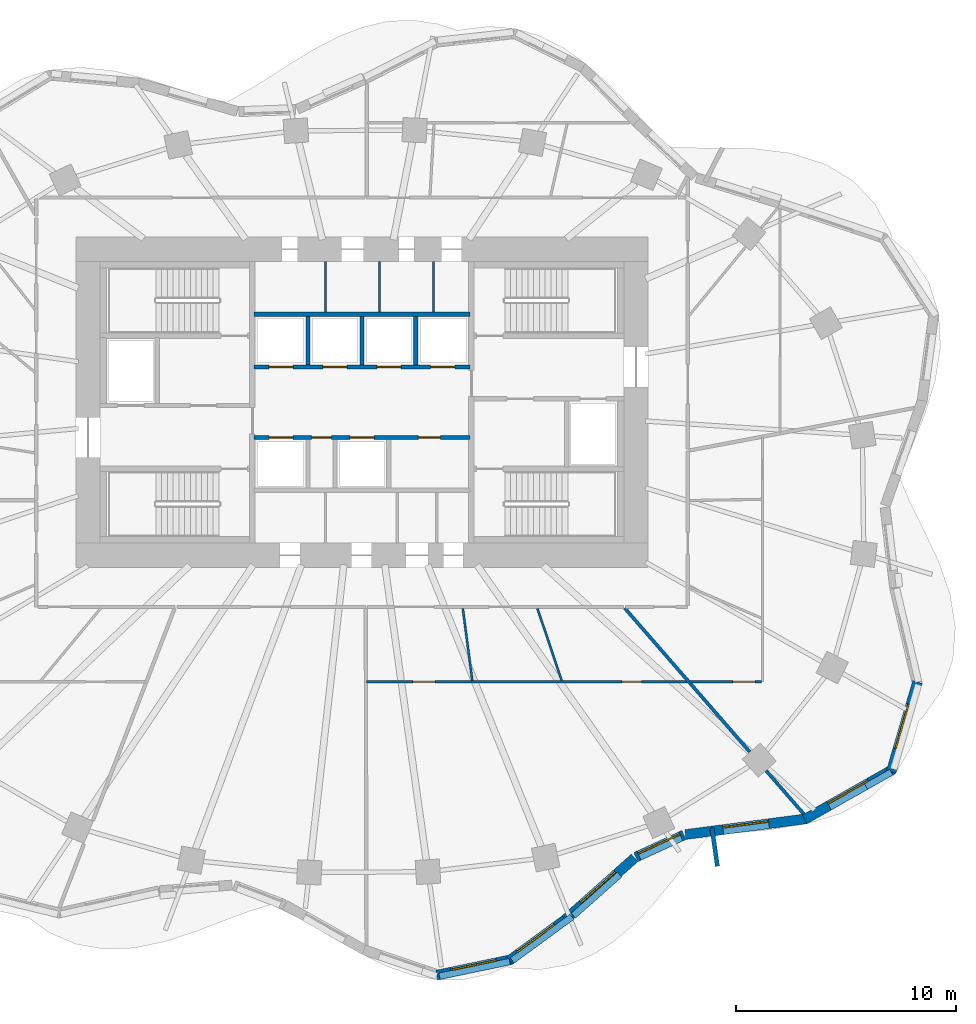
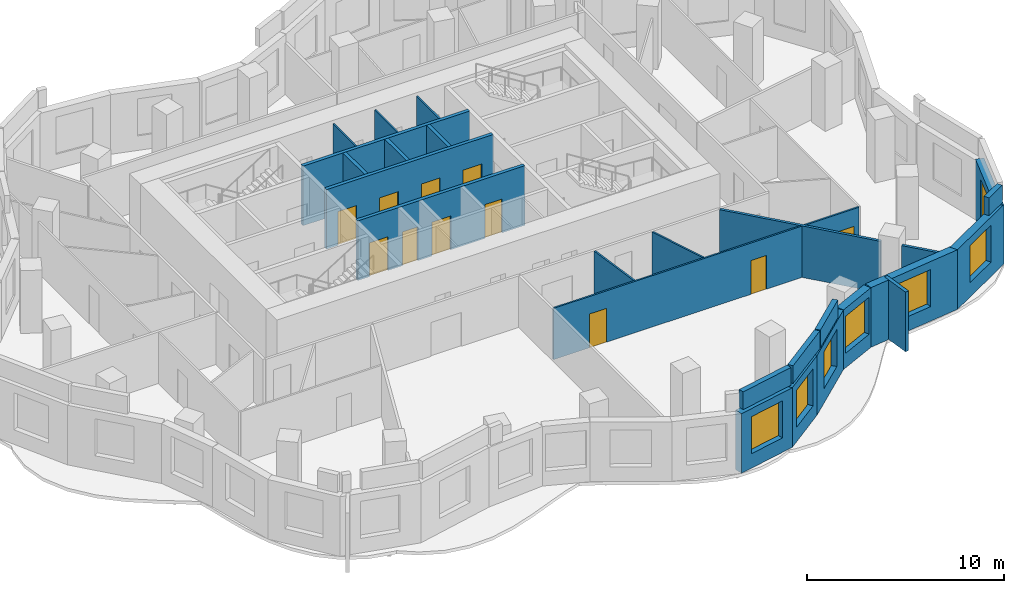
# One storey, part 5 of 10: 27 walls, 11 doors, 7 windows, 18 openings.
"""IFC4 building model written with IfcOpenShell, lengths in metres."""

from ifc_helpers import new_model, si_unit, direction, frame, frame_2d, origin, place, context, subcontext, project, spatial, rectangle, extrude, material, layer, layer_set, type_object, element, fill, save


model = new_model("IFC4")

# Units and contexts
model_context = context("Model", 3, precision=1e-05, world=origin(), true_north=direction((0.0, 1.0)))
body_context = subcontext(model_context, "Body", "Model", "MODEL_VIEW")
ifc_project = project(units=[si_unit("LENGTHUNIT", "METRE"), si_unit("AREAUNIT", "SQUARE_METRE"), si_unit("VOLUMEUNIT", "CUBIC_METRE"), si_unit("PLANEANGLEUNIT", "RADIAN"), si_unit("MASSUNIT", "GRAM", prefix="KILO")], contexts=[model_context])

# Site, building, storey
site_placement = place(None, origin())
site = spatial("IfcSite", under=ifc_project, at=site_placement, CompositionType="ELEMENT")
building_placement = place(site_placement, origin())
building = spatial("IfcBuilding", under=site, at=building_placement, Name="Rubra Terraces Tower", CompositionType="ELEMENT")
storey_placement = place(building_placement, frame((0.0, 0.0, 153.89990234375)))
storey = spatial("IfcBuildingStorey", under=building, at=storey_placement, Name="L37", CompositionType="ELEMENT", Elevation=153.89990234375)

# Wall, opening, window
ifc_material_1 = material(Name="Brick masonry red-brown", Category="masonry")
ifc_layer_1 = layer(ifc_material_1, 0.449951171875)
ifc_layer_set_1 = layer_set([ifc_layer_1], Name="Brick masonry red-brown")
wall_type_1 = type_object("IfcWallType", Name="Brick facade wall 450", PredefinedType="SOLIDWALL", material=ifc_layer_set_1)
wall_1_placement = place(storey_placement, frame((3.39892578125, -21.53173828125, 0.0), z_axis=(0.0, 0.0, 1.0), x_axis=(0.978915912181, 0.204263645512, 0.0)))
wall_1 = element("IfcWall", 1, at=wall_1_placement, inside=storey, type_object=wall_type_1, Name="Facade wall L37 bay 32", PredefinedType="SOLIDWALL", context=body_context, shape_type="SweptSolid", body=[
    extrude(rectangle(XDim=3.466064453125, YDim=0.449951171875, at=frame_2d((1.73291015625, 0.0))), origin(), (0.0, 0.0, 1.0), 3.7001953125),
])
opening_1_placement = place(wall_1_placement, frame((0.68310546875, 0.0, 0.89990234375)))
opening_1 = element("IfcOpeningElement", 2, at=opening_1_placement, cuts=wall_1, Name="Opening W1B", PredefinedType="OPENING", context=body_context, shape_type="SweptSolid", body=[
    extrude(rectangle(XDim=2.10009765625, YDim=2.300048828125, at=frame_2d((1.050048828125, 1.14990234375))), frame((0.0, 0.23486328125, 0.0), z_axis=(0.0, -1.0, 0.0), x_axis=(1.0, 0.0, 0.0)), (0.0, 0.0, 1.0), 0.469970703125),
])
ifc_material_2 = material(Name="Clear glass in aluminium frame", Category="aluminium")
window_type = type_object("IfcWindowType", Name="Fixed deep-set window tall storey 2100 x 2300", PartitioningType="SINGLE_PANEL", PredefinedType="WINDOW", material=ifc_material_2)
window_1_placement = place(opening_1_placement, origin())
window_1 = element("IfcWindow", 3, at=window_1_placement, inside=storey, type_object=window_type, Name="Window L37 bay 32", OverallHeight=2.300048828125, OverallWidth=2.10009765625, PartitioningType="SINGLE_PANEL", PredefinedType="WINDOW", context=body_context, shape_type="SweptSolid", body=[
    extrude(rectangle(XDim=2.10009765625, YDim=2.300048828125, at=frame_2d((1.050048828125, 1.14990234375))), frame((0.0, 0.135009765625, 0.0), z_axis=(0.0, -1.0, 0.0), x_axis=(1.0, 0.0, 0.0)), (0.0, 0.0, 1.0), 0.06005859375),
])
fill(opening_1, window_1)

wall_2_placement = place(storey_placement, frame((6.705078125, -20.8623046875, 0.0), z_axis=(0.0, 0.0, 1.0), x_axis=(0.806921336267, 0.590658917716, 0.0)))
wall_2 = element("IfcWall", 4, at=wall_2_placement, inside=storey, type_object=wall_type_1, Name="Facade wall L37 bay 33", PredefinedType="SOLIDWALL", context=body_context, shape_type="SweptSolid", body=[
    extrude(rectangle(XDim=3.124755859375, YDim=0.449951171875, at=frame_2d((1.5625, 0.0))), origin(), (0.0, 0.0, 1.0), 3.7001953125),
])
opening_2_placement = place(wall_2_placement, frame((0.512451171875, 0.0, 0.89990234375)))
opening_2 = element("IfcOpeningElement", 5, at=opening_2_placement, cuts=wall_2, Name="Opening W1B", PredefinedType="OPENING", context=body_context, shape_type="SweptSolid", body=[
    extrude(rectangle(XDim=2.10009765625, YDim=2.300048828125, at=frame_2d((1.050048828125, 1.14990234375))), frame((0.0, 0.23486328125, 0.0), z_axis=(0.0, -1.0, 0.0), x_axis=(1.0, 0.0, 0.0)), (0.0, 0.0, 1.0), 0.469970703125),
])
window_2_placement = place(opening_2_placement, origin())
window_2 = element("IfcWindow", 6, at=window_2_placement, inside=storey, type_object=window_type, Name="Window L37 bay 33", OverallHeight=2.300048828125, OverallWidth=2.10009765625, PartitioningType="SINGLE_PANEL", PredefinedType="WINDOW", context=body_context, shape_type="SweptSolid", body=[
    extrude(rectangle(XDim=2.10009765625, YDim=2.300048828125, at=frame_2d((1.050048828125, 1.14990234375))), frame((0.0, 0.135009765625, 0.0), z_axis=(0.0, -1.0, 0.0), x_axis=(1.0, 0.0, 0.0)), (0.0, 0.0, 1.0), 0.06005859375),
])
fill(opening_2, window_2)

wall_3_placement = place(storey_placement, frame((9.2099609375, -19.030029296875, 0.0), z_axis=(0.0, 0.0, 1.0), x_axis=(0.747396648191, 0.664378092861, 0.0)))
wall_3 = element("IfcWall", 7, at=wall_3_placement, inside=storey, type_object=wall_type_1, Name="Facade wall L37 bay 34", PredefinedType="SOLIDWALL", context=body_context, shape_type="SweptSolid", body=[
    extrude(rectangle(XDim=4.25244140625, YDim=0.449951171875, at=frame_2d((2.126220703125, 0.0))), origin(), (0.0, 0.0, 1.0), 3.7001953125),
])
opening_3_placement = place(wall_3_placement, frame((1.076171875, 0.0, 0.89990234375)))
opening_3 = element("IfcOpeningElement", 8, at=opening_3_placement, cuts=wall_3, Name="Opening W1B", PredefinedType="OPENING", context=body_context, shape_type="SweptSolid", body=[
    extrude(rectangle(XDim=2.10009765625, YDim=2.300048828125, at=frame_2d((1.050048828125, 1.14990234375))), frame((0.0, 0.23486328125, 0.0), z_axis=(0.0, -1.0, 0.0), x_axis=(1.0, 0.0, 0.0)), (0.0, 0.0, 1.0), 0.469970703125),
])
window_3_placement = place(opening_3_placement, origin())
window_3 = element("IfcWindow", 9, at=window_3_placement, inside=storey, type_object=window_type, Name="Window L37 bay 34", OverallHeight=2.300048828125, OverallWidth=2.10009765625, PartitioningType="SINGLE_PANEL", PredefinedType="WINDOW", context=body_context, shape_type="SweptSolid", body=[
    extrude(rectangle(XDim=2.10009765625, YDim=2.300048828125, at=frame_2d((1.050048828125, 1.14990234375))), frame((0.0, 0.135009765625, 0.0), z_axis=(0.0, -1.0, 0.0), x_axis=(1.0, 0.0, 0.0)), (0.0, 0.0, 1.0), 0.06005859375),
])
fill(opening_3, window_3)

wall_4_placement = place(storey_placement, frame((12.443603515625, -16.168701171875, 0.0), z_axis=(0.0, 0.0, 1.0), x_axis=(0.908468904074, 0.417952449844, 0.0)))
wall_4 = element("IfcWall", 10, at=wall_4_placement, inside=storey, type_object=wall_type_1, Name="Facade wall L37 bay 35", PredefinedType="SOLIDWALL", context=body_context, shape_type="SweptSolid", body=[
    extrude(rectangle(XDim=2.408935546875, YDim=0.449951171875, at=frame_2d((1.20458984375, 0.0))), origin(), (0.0, 0.0, 1.0), 3.7001953125),
])
opening_4_placement = place(wall_4_placement, frame((0.154541015625, 0.0, 0.89990234375)))
opening_4 = element("IfcOpeningElement", 11, at=opening_4_placement, cuts=wall_4, Name="Opening W1B", PredefinedType="OPENING", context=body_context, shape_type="SweptSolid", body=[
    extrude(rectangle(XDim=2.10009765625, YDim=2.300048828125, at=frame_2d((1.050048828125, 1.14990234375))), frame((0.0, 0.23486328125, 0.0), z_axis=(0.0, -1.0, 0.0), x_axis=(1.0, 0.0, 0.0)), (0.0, 0.0, 1.0), 0.469970703125),
])
window_4_placement = place(opening_4_placement, origin())
window_4 = element("IfcWindow", 12, at=window_4_placement, inside=storey, type_object=window_type, Name="Window L37 bay 35", OverallHeight=2.300048828125, OverallWidth=2.10009765625, PartitioningType="SINGLE_PANEL", PredefinedType="WINDOW", context=body_context, shape_type="SweptSolid", body=[
    extrude(rectangle(XDim=2.10009765625, YDim=2.300048828125, at=frame_2d((1.050048828125, 1.14990234375))), frame((0.0, 0.135009765625, 0.0), z_axis=(0.0, -1.0, 0.0), x_axis=(1.0, 0.0, 0.0)), (0.0, 0.0, 1.0), 0.06005859375),
])
fill(opening_4, window_4)

wall_5_placement = place(storey_placement, frame((14.697265625, -15.143310546875, 0.0), z_axis=(0.0, 0.0, 1.0), x_axis=(0.991631798411, 0.129098320597, 0.0)))
wall_5 = element("IfcWall", 13, at=wall_5_placement, inside=storey, type_object=wall_type_1, Name="Facade wall L37 bay 36", PredefinedType="SOLIDWALL", context=body_context, shape_type="SweptSolid", body=[
    extrude(rectangle(XDim=5.546630859375, YDim=0.449951171875, at=frame_2d((2.7734375, 0.0))), origin(), (0.0, 0.0, 1.0), 3.7001953125),
])
opening_5_placement = place(wall_5_placement, frame((1.723388671875, 0.0, 0.89990234375)))
opening_5 = element("IfcOpeningElement", 14, at=opening_5_placement, cuts=wall_5, Name="Opening W1B", PredefinedType="OPENING", context=body_context, shape_type="SweptSolid", body=[
    extrude(rectangle(XDim=2.10009765625, YDim=2.300048828125, at=frame_2d((1.050048828125, 1.14990234375))), frame((0.0, 0.23486328125, 0.0), z_axis=(0.0, -1.0, 0.0), x_axis=(1.0, 0.0, 0.0)), (0.0, 0.0, 1.0), 0.469970703125),
])
window_5_placement = place(opening_5_placement, origin())
window_5 = element("IfcWindow", 15, at=window_5_placement, inside=storey, type_object=window_type, Name="Window L37 bay 36", OverallHeight=2.300048828125, OverallWidth=2.10009765625, PartitioningType="SINGLE_PANEL", PredefinedType="WINDOW", context=body_context, shape_type="SweptSolid", body=[
    extrude(rectangle(XDim=2.10009765625, YDim=2.300048828125, at=frame_2d((1.050048828125, 1.14990234375))), frame((0.0, 0.135009765625, 0.0), z_axis=(0.0, -1.0, 0.0), x_axis=(1.0, 0.0, 0.0)), (0.0, 0.0, 1.0), 0.06005859375),
])
fill(opening_5, window_5)

wall_6_placement = place(storey_placement, frame((20.115478515625, -14.45458984375, 0.0), z_axis=(0.0, 0.0, 1.0), x_axis=(0.869822679286, 0.493364476427, 0.0)))
wall_6 = element("IfcWall", 16, at=wall_6_placement, inside=storey, type_object=wall_type_1, Name="Facade wall L37 bay 37", PredefinedType="SOLIDWALL", context=body_context, shape_type="SweptSolid", body=[
    extrude(rectangle(XDim=4.63818359375, YDim=0.449951171875, at=frame_2d((2.319091796875, 0.0))), origin(), (0.0, 0.0, 1.0), 3.7001953125),
])
opening_6_placement = place(wall_6_placement, frame((1.26904296875, 0.0, 0.89990234375)))
opening_6 = element("IfcOpeningElement", 17, at=opening_6_placement, cuts=wall_6, Name="Opening W1B", PredefinedType="OPENING", context=body_context, shape_type="SweptSolid", body=[
    extrude(rectangle(XDim=2.10009765625, YDim=2.300048828125, at=frame_2d((1.050048828125, 1.14990234375))), frame((0.0, 0.23486328125, 0.0), z_axis=(0.0, -1.0, 0.0), x_axis=(1.0, 0.0, 0.0)), (0.0, 0.0, 1.0), 0.469970703125),
])
window_6_placement = place(opening_6_placement, origin())
window_6 = element("IfcWindow", 18, at=window_6_placement, inside=storey, type_object=window_type, Name="Window L37 bay 37", OverallHeight=2.300048828125, OverallWidth=2.10009765625, PartitioningType="SINGLE_PANEL", PredefinedType="WINDOW", context=body_context, shape_type="SweptSolid", body=[
    extrude(rectangle(XDim=2.10009765625, YDim=2.300048828125, at=frame_2d((1.050048828125, 1.14990234375))), frame((0.0, 0.135009765625, 0.0), z_axis=(0.0, -1.0, 0.0), x_axis=(1.0, 0.0, 0.0)), (0.0, 0.0, 1.0), 0.06005859375),
])
fill(opening_6, window_6)

wall_7_placement = place(storey_placement, frame((24.045166015625, -12.298583984375, 0.0), z_axis=(0.0, 0.0, 1.0), x_axis=(0.281381418228, 0.95959600743, 0.0)))
wall_7 = element("IfcWall", 19, at=wall_7_placement, inside=storey, type_object=wall_type_1, Name="Facade wall L37 bay 38", PredefinedType="SOLIDWALL", context=body_context, shape_type="SweptSolid", body=[
    extrude(rectangle(XDim=4.260986328125, YDim=0.449951171875, at=frame_2d((2.13037109375, 0.0))), origin(), (0.0, 0.0, 1.0), 3.7001953125),
])
opening_7_placement = place(wall_7_placement, frame((1.08056640625, 0.0, 0.89990234375)))
opening_7 = element("IfcOpeningElement", 20, at=opening_7_placement, cuts=wall_7, Name="Opening W1B", PredefinedType="OPENING", context=body_context, shape_type="SweptSolid", body=[
    extrude(rectangle(XDim=2.10009765625, YDim=2.300048828125, at=frame_2d((1.050048828125, 1.14990234375))), frame((0.0, 0.23486328125, 0.0), z_axis=(0.0, -1.0, 0.0), x_axis=(1.0, 0.0, 0.0)), (0.0, 0.0, 1.0), 0.469970703125),
])
window_7_placement = place(opening_7_placement, origin())
window_7 = element("IfcWindow", 21, at=window_7_placement, inside=storey, type_object=window_type, Name="Window L37 bay 38", OverallHeight=2.300048828125, OverallWidth=2.10009765625, PartitioningType="SINGLE_PANEL", PredefinedType="WINDOW", context=body_context, shape_type="SweptSolid", body=[
    extrude(rectangle(XDim=2.10009765625, YDim=2.300048828125, at=frame_2d((1.050048828125, 1.14990234375))), frame((0.0, 0.135009765625, 0.0), z_axis=(0.0, -1.0, 0.0), x_axis=(1.0, 0.0, 0.0)), (0.0, 0.0, 1.0), 0.06005859375),
])
fill(opening_7, window_7)

# Walls
ifc_layer_2 = layer(ifc_material_1, 0.300048828125)
ifc_layer_set_2 = layer_set([ifc_layer_2], Name="Brick masonry red-brown")
wall_type_2 = type_object("IfcWallType", Name="Brick parapet 300", PredefinedType="PARAPET", material=ifc_layer_set_2)
wall_8_placement = place(storey_placement, frame((3.523681640625, -21.582275390625, 3.900146484375), z_axis=(0.0, 0.0, 1.0), x_axis=(0.97891618591, 0.204262333689, 0.0)))
element("IfcWall", 22, at=wall_8_placement, inside=storey, type_object=wall_type_2, Name="Parapet L37 bay 32", PredefinedType="PARAPET", context=body_context, shape_type="SweptSolid", body=[
    extrude(rectangle(XDim=3.25927734375, YDim=0.300048828125, at=frame_2d((1.629638671875, 0.0))), origin(), (0.0, 0.0, 1.0), 1.099853515625),
])
wall_9_placement = place(storey_placement, frame((6.825927734375, -20.866943359375, 3.900146484375), z_axis=(0.0, 0.0, 1.0), x_axis=(0.806907255022, 0.590678154152, 0.0)))
element("IfcWall", 23, at=wall_9_placement, inside=storey, type_object=wall_type_2, Name="Parapet L37 bay 33", PredefinedType="PARAPET", context=body_context, shape_type="SweptSolid", body=[
    extrude(rectangle(XDim=3.366943359375, YDim=0.300048828125, at=frame_2d((1.68359375, 0.0))), origin(), (0.0, 0.0, 1.0), 1.099853515625),
])
wall_10_placement = place(storey_placement, frame((9.600341796875, -18.83154296875, 3.900146484375), z_axis=(0.0, 0.0, 1.0), x_axis=(0.747433246304, 0.664336919281, 0.0)))
element("IfcWall", 24, at=wall_10_placement, inside=storey, type_object=wall_type_2, Name="Parapet L37 bay 34", PredefinedType="PARAPET", context=body_context, shape_type="SweptSolid", body=[
    extrude(rectangle(XDim=2.814697265625, YDim=0.300048828125, at=frame_2d((1.4072265625, 0.0))), origin(), (0.0, 0.0, 1.0), 1.099853515625),
])
wall_11_placement = place(storey_placement, frame((22.90283203125, -12.9599609375, 3.900146484375), z_axis=(0.0, 0.0, 1.0), x_axis=(0.869837682326, 0.493338024489, 0.0)))
element("IfcWall", 25, at=wall_11_placement, inside=storey, type_object=wall_type_2, Name="Parapet L37 bay 37", PredefinedType="PARAPET", context=body_context, shape_type="SweptSolid", body=[
    extrude(rectangle(XDim=1.32470703125, YDim=0.300048828125, at=frame_2d((0.662353515625, 0.0))), origin(), (0.0, 0.0, 1.0), 1.099853515625),
])
ifc_layer_3 = layer(ifc_material_1, 0.199951171875)
ifc_layer_set_3 = layer_set([ifc_layer_3], Name="Brick masonry red-brown")
wall_type_3 = type_object("IfcWallType", Name="Brick wind fin 200", PredefinedType="SOLIDWALL", material=ifc_layer_set_3)
wall_12_placement = place(storey_placement, frame((15.905029296875, -14.85009765625, 0.0), z_axis=(0.0, 0.0, 1.0), x_axis=(0.140913490987, -0.990021912918, 0.0)))
element("IfcWall", 26, at=wall_12_placement, inside=storey, type_object=wall_type_3, Name="Wind fin L37 18", PredefinedType="SOLIDWALL", context=body_context, shape_type="SweptSolid", body=[
    extrude(rectangle(XDim=1.75, YDim=0.199951171875, at=frame_2d((0.875, 0.0))), origin(), (0.0, 0.0, 1.0), 3.7001953125),
])

# Wall, openings, doors
ifc_material_3 = material(Name="Concrete C30", Category="concrete")
ifc_layer_4 = layer(ifc_material_3, 0.199951171875)
ifc_layer_set_4 = layer_set([ifc_layer_4], Name="Concrete C30")
wall_type_4 = type_object("IfcWallType", Name="Core wall 200 concrete", PredefinedType="SOLIDWALL", material=ifc_layer_set_4)
wall_13_placement = place(storey_placement, frame((-4.89990234375, 2.89990234375, 0.0), z_axis=(0.0, 0.0, 1.0), x_axis=(1.0, 0.0, 0.0)))
wall_13 = element("IfcWall", 27, at=wall_13_placement, inside=storey, type_object=wall_type_4, Name="LIFT SHAFT WALL L37", PredefinedType="SOLIDWALL", context=body_context, shape_type="SweptSolid", body=[
    extrude(rectangle(XDim=9.7998046875, YDim=0.199951171875, at=frame_2d((4.89990234375, 0.0))), origin(), (0.0, 0.0, 1.0), 3.7001953125),
])
opening_8_placement = place(wall_13_placement, frame((0.675048828125, 0.0, 0.0)))
opening_8 = element("IfcOpeningElement", 28, at=opening_8_placement, cuts=wall_13, Name="Opening L37.C13", PredefinedType="OPENING", context=body_context, shape_type="SweptSolid", body=[
    extrude(rectangle(XDim=1.10009765625, YDim=2.10009765625, at=frame_2d((0.550048828125, 1.050048828125))), frame((0.0, 0.10986328125, 0.0), z_axis=(0.0, -1.0, 0.0), x_axis=(1.0, 0.0, 0.0)), (0.0, 0.0, 1.0), 0.219970703125),
])
opening_9_placement = place(wall_13_placement, frame((2.613037109375, 0.0, 0.0)))
opening_9 = element("IfcOpeningElement", 29, at=opening_9_placement, cuts=wall_13, Name="Opening L37.C14", PredefinedType="OPENING", context=body_context, shape_type="SweptSolid", body=[
    extrude(rectangle(XDim=0.89990234375, YDim=2.10009765625, at=frame_2d((0.449951171875, 1.050048828125))), frame((0.0, 0.10986328125, 0.0), z_axis=(0.0, -1.0, 0.0), x_axis=(1.0, 0.0, 0.0)), (0.0, 0.0, 1.0), 0.219970703125),
])
opening_10_placement = place(wall_13_placement, frame((4.35009765625, 0.0, 0.0)))
opening_10 = element("IfcOpeningElement", 30, at=opening_10_placement, cuts=wall_13, Name="Opening L37.C15", PredefinedType="OPENING", context=body_context, shape_type="SweptSolid", body=[
    extrude(rectangle(XDim=1.10009765625, YDim=2.10009765625, at=frame_2d((0.550048828125, 1.050048828125))), frame((0.0, 0.10986328125, 0.0), z_axis=(0.0, -1.0, 0.0), x_axis=(1.0, 0.0, 0.0)), (0.0, 0.0, 1.0), 0.219970703125),
])
opening_11_placement = place(wall_13_placement, frame((7.462890625, 0.0, 0.0)))
opening_11 = element("IfcOpeningElement", 31, at=opening_11_placement, cuts=wall_13, Name="Opening L37.C16", PredefinedType="OPENING", context=body_context, shape_type="SweptSolid", body=[
    extrude(rectangle(XDim=1.0, YDim=2.10009765625, at=frame_2d((0.5, 1.050048828125))), frame((0.0, 0.10986328125, 0.0), z_axis=(0.0, -1.0, 0.0), x_axis=(1.0, 0.0, 0.0)), (0.0, 0.0, 1.0), 0.219970703125),
])
ifc_material_4 = material(Name="Painted steel", Category="steel")
door_type_1 = type_object("IfcDoorType", Name="Fire door 1000x2100 single", OperationType="NOTDEFINED", PredefinedType="DOOR", material=ifc_material_4)
door_1_placement = place(opening_11_placement, origin())
door_1 = element("IfcDoor", 32, at=door_1_placement, inside=storey, type_object=door_type_1, Name="Tea point door", OperationType="SINGLE_SWING_RIGHT", OverallHeight=2.10009765625, OverallWidth=1.0, PredefinedType="DOOR", context=body_context, shape_type="SweptSolid", body=[
    extrude(rectangle(XDim=1.0, YDim=2.10009765625, at=frame_2d((0.5, 1.050048828125))), frame((0.0, 0.02490234375, 0.0), z_axis=(0.0, -1.0, 0.0), x_axis=(1.0, 0.0, 0.0)), (0.0, 0.0, 1.0), 0.050048828125),
])
fill(opening_11, door_1)
door_type_2 = type_object("IfcDoorType", Name="Fire door 900x2100 single", OperationType="NOTDEFINED", PredefinedType="DOOR", material=ifc_material_4)
door_2_placement = place(opening_9_placement, origin())
door_2 = element("IfcDoor", 33, at=door_2_placement, inside=storey, type_object=door_type_2, Name="Cleaner's store door", OperationType="SINGLE_SWING_RIGHT", OverallHeight=2.10009765625, OverallWidth=0.89990234375, PredefinedType="DOOR", context=body_context, shape_type="SweptSolid", body=[
    extrude(rectangle(XDim=0.89990234375, YDim=2.10009765625, at=frame_2d((0.449951171875, 1.050048828125))), frame((0.0, 0.02490234375, 0.0), z_axis=(0.0, -1.0, 0.0), x_axis=(1.0, 0.0, 0.0)), (0.0, 0.0, 1.0), 0.050048828125),
])
fill(opening_9, door_2)
ifc_material_5 = material(Name="Stainless steel", Category="steel")
door_type_3 = type_object("IfcDoorType", Name="Lift landing door 1100x2100", OperationType="NOTDEFINED", PredefinedType="DOOR", material=ifc_material_5)
door_3_placement = place(opening_8_placement, origin())
door_3 = element("IfcDoor", 34, at=door_3_placement, inside=storey, type_object=door_type_3, Name="Landing door HB1", OperationType="SLIDING_TO_RIGHT", OverallHeight=2.10009765625, OverallWidth=1.10009765625, PredefinedType="DOOR", context=body_context, shape_type="SweptSolid", body=[
    extrude(rectangle(XDim=1.10009765625, YDim=2.10009765625, at=frame_2d((0.550048828125, 1.050048828125))), frame((0.0, 0.02490234375, 0.0), z_axis=(0.0, -1.0, 0.0), x_axis=(1.0, 0.0, 0.0)), (0.0, 0.0, 1.0), 0.050048828125),
])
fill(opening_8, door_3)
door_4_placement = place(opening_10_placement, origin())
door_4 = element("IfcDoor", 35, at=door_4_placement, inside=storey, type_object=door_type_3, Name="Landing door HB2", OperationType="SLIDING_TO_LEFT", OverallHeight=2.10009765625, OverallWidth=1.10009765625, PredefinedType="DOOR", context=body_context, shape_type="SweptSolid", body=[
    extrude(rectangle(XDim=1.10009765625, YDim=2.10009765625, at=frame_2d((0.550048828125, 1.050048828125))), frame((0.0, 0.02490234375, 0.0), z_axis=(0.0, -1.0, 0.0), x_axis=(1.0, 0.0, 0.0)), (0.0, 0.0, 1.0), 0.050048828125),
])
fill(opening_10, door_4)

wall_14_placement = place(storey_placement, frame((-4.89990234375, 6.10009765625, 0.0), z_axis=(0.0, 0.0, 1.0), x_axis=(1.0, 0.0, 0.0)))
wall_14 = element("IfcWall", 36, at=wall_14_placement, inside=storey, type_object=wall_type_4, Name="LIFT SHAFT WALL L37", PredefinedType="SOLIDWALL", context=body_context, shape_type="SweptSolid", body=[
    extrude(rectangle(XDim=9.7998046875, YDim=0.199951171875, at=frame_2d((4.89990234375, 0.0))), origin(), (0.0, 0.0, 1.0), 3.7001953125),
])
opening_12_placement = place(wall_14_placement, frame((0.675048828125, 0.0, 0.0)))
opening_12 = element("IfcOpeningElement", 37, at=opening_12_placement, cuts=wall_14, Name="Opening L37.C17", PredefinedType="OPENING", context=body_context, shape_type="SweptSolid", body=[
    extrude(rectangle(XDim=1.10009765625, YDim=2.10009765625, at=frame_2d((0.550048828125, 1.050048828125))), frame((0.0, 0.10986328125, 0.0), z_axis=(0.0, -1.0, 0.0), x_axis=(1.0, 0.0, 0.0)), (0.0, 0.0, 1.0), 0.219970703125),
])
opening_13_placement = place(wall_14_placement, frame((3.125, 0.0, 0.0)))
opening_13 = element("IfcOpeningElement", 38, at=opening_13_placement, cuts=wall_14, Name="Opening L37.C18", PredefinedType="OPENING", context=body_context, shape_type="SweptSolid", body=[
    extrude(rectangle(XDim=1.10009765625, YDim=2.10009765625, at=frame_2d((0.550048828125, 1.050048828125))), frame((0.0, 0.10986328125, 0.0), z_axis=(0.0, -1.0, 0.0), x_axis=(1.0, 0.0, 0.0)), (0.0, 0.0, 1.0), 0.219970703125),
])
opening_14_placement = place(wall_14_placement, frame((5.574951171875, 0.0, 0.0)))
opening_14 = element("IfcOpeningElement", 39, at=opening_14_placement, cuts=wall_14, Name="Opening L37.C19", PredefinedType="OPENING", context=body_context, shape_type="SweptSolid", body=[
    extrude(rectangle(XDim=1.10009765625, YDim=2.10009765625, at=frame_2d((0.550048828125, 1.050048828125))), frame((0.0, 0.10986328125, 0.0), z_axis=(0.0, -1.0, 0.0), x_axis=(1.0, 0.0, 0.0)), (0.0, 0.0, 1.0), 0.219970703125),
])
opening_15_placement = place(wall_14_placement, frame((8.02490234375, 0.0, 0.0)))
opening_15 = element("IfcOpeningElement", 40, at=opening_15_placement, cuts=wall_14, Name="Opening L37.C20", PredefinedType="OPENING", context=body_context, shape_type="SweptSolid", body=[
    extrude(rectangle(XDim=1.10009765625, YDim=2.10009765625, at=frame_2d((0.550048828125, 1.050048828125))), frame((0.0, 0.10986328125, 0.0), z_axis=(0.0, -1.0, 0.0), x_axis=(1.0, 0.0, 0.0)), (0.0, 0.0, 1.0), 0.219970703125),
])
door_5_placement = place(opening_12_placement, origin())
door_5 = element("IfcDoor", 41, at=door_5_placement, inside=storey, type_object=door_type_3, Name="Landing door HB3", OperationType="SLIDING_TO_RIGHT", OverallHeight=2.10009765625, OverallWidth=1.10009765625, PredefinedType="DOOR", context=body_context, shape_type="SweptSolid", body=[
    extrude(rectangle(XDim=1.10009765625, YDim=2.10009765625, at=frame_2d((0.550048828125, 1.050048828125))), frame((0.0, 0.02490234375, 0.0), z_axis=(0.0, -1.0, 0.0), x_axis=(1.0, 0.0, 0.0)), (0.0, 0.0, 1.0), 0.050048828125),
])
fill(opening_12, door_5)
door_6_placement = place(opening_13_placement, origin())
door_6 = element("IfcDoor", 42, at=door_6_placement, inside=storey, type_object=door_type_3, Name="Landing door HB4", OperationType="SLIDING_TO_LEFT", OverallHeight=2.10009765625, OverallWidth=1.10009765625, PredefinedType="DOOR", context=body_context, shape_type="SweptSolid", body=[
    extrude(rectangle(XDim=1.10009765625, YDim=2.10009765625, at=frame_2d((0.550048828125, 1.050048828125))), frame((0.0, 0.02490234375, 0.0), z_axis=(0.0, -1.0, 0.0), x_axis=(1.0, 0.0, 0.0)), (0.0, 0.0, 1.0), 0.050048828125),
])
fill(opening_13, door_6)
door_7_placement = place(opening_14_placement, origin())
door_7 = element("IfcDoor", 43, at=door_7_placement, inside=storey, type_object=door_type_3, Name="Landing door HB5", OperationType="SLIDING_TO_RIGHT", OverallHeight=2.10009765625, OverallWidth=1.10009765625, PredefinedType="DOOR", context=body_context, shape_type="SweptSolid", body=[
    extrude(rectangle(XDim=1.10009765625, YDim=2.10009765625, at=frame_2d((0.550048828125, 1.050048828125))), frame((0.0, 0.02490234375, 0.0), z_axis=(0.0, -1.0, 0.0), x_axis=(1.0, 0.0, 0.0)), (0.0, 0.0, 1.0), 0.050048828125),
])
fill(opening_14, door_7)
door_8_placement = place(opening_15_placement, origin())
door_8 = element("IfcDoor", 44, at=door_8_placement, inside=storey, type_object=door_type_3, Name="Landing door HB6", OperationType="SLIDING_TO_LEFT", OverallHeight=2.10009765625, OverallWidth=1.10009765625, PredefinedType="DOOR", context=body_context, shape_type="SweptSolid", body=[
    extrude(rectangle(XDim=1.10009765625, YDim=2.10009765625, at=frame_2d((0.550048828125, 1.050048828125))), frame((0.0, 0.02490234375, 0.0), z_axis=(0.0, -1.0, 0.0), x_axis=(1.0, 0.0, 0.0)), (0.0, 0.0, 1.0), 0.050048828125),
])
fill(opening_15, door_8)

# Walls
wall_15_placement = place(storey_placement, frame((-4.89990234375, 8.5, 0.0), z_axis=(0.0, 0.0, 1.0), x_axis=(1.0, 0.0, 0.0)))
element("IfcWall", 45, at=wall_15_placement, inside=storey, type_object=wall_type_4, Name="LIFT SHAFT WALL L37", PredefinedType="SOLIDWALL", context=body_context, shape_type="SweptSolid", body=[
    extrude(rectangle(XDim=9.7998046875, YDim=0.199951171875, at=frame_2d((4.89990234375, 0.0))), origin(), (0.0, 0.0, 1.0), 3.7001953125),
])
for number, where, z_axis, x_axis, name in (
    (46, (-2.449951171875, 6.199951171875, 0.0), (0.0, 0.0, 1.0), (0.0, 1.0, 0.0), "LIFT SHAFT WALL L37"),
    (47, (0.0, 6.199951171875, 0.0), (0.0, 0.0, 1.0), (0.0, 1.0, 0.0), "LIFT SHAFT WALL L37"),
    (48, (2.449951171875, 6.199951171875, 0.0), (0.0, 0.0, 1.0), (0.0, 1.0, 0.0), "LIFT SHAFT WALL L37"),
):
    element("IfcWall", number, at=place(storey_placement, frame(where, z_axis=z_axis, x_axis=x_axis)), inside=storey, type_object=wall_type_4, Name=name, PredefinedType="SOLIDWALL", context=body_context, shape_type="SweptSolid", body=[
        extrude(rectangle(XDim=2.199951171875, YDim=0.199951171875, at=frame_2d((1.10009765625, 0.0))), origin(), (0.0, 0.0, 1.0), 3.7001953125),
    ])

# Wall, openings, doors
ifc_material_6 = material(Name="Plasterboard on steel stud", Category="steel")
ifc_layer_5 = layer(ifc_material_6, 0.10009765625)
ifc_layer_set_5 = layer_set([ifc_layer_5], Name="Plasterboard on steel stud")
wall_type_5 = type_object("IfcWallType", Name="ROOM PARTITION 100", PredefinedType="PARTITIONING", material=ifc_layer_set_5)
wall_16_placement = place(storey_placement, frame((14.822509765625, -8.199951171875, 0.0), z_axis=(0.0, 0.0, 1.0), x_axis=(-1.0, 0.0, 0.0)))
wall_16 = element("IfcWall", 49, at=wall_16_placement, inside=storey, type_object=wall_type_5, Name="PARTITION", PredefinedType="PARTITIONING", context=body_context, shape_type="SweptSolid", body=[
    extrude(rectangle(XDim=14.622314453125, YDim=0.10009765625, at=frame_2d((7.31103515625, 0.0))), origin(), (0.0, 0.0, 1.0), 3.18408203125),
])
opening_16_placement = place(wall_16_placement, frame((11.50390625, 0.0, 0.0)))
opening_16 = element("IfcOpeningElement", 50, at=opening_16_placement, cuts=wall_16, Name="Opening 37-114", PredefinedType="OPENING", context=body_context, shape_type="SweptSolid", body=[
    extrude(rectangle(XDim=1.0, YDim=2.10009765625, at=frame_2d((0.5, 1.050048828125))), frame((0.0, 0.06005859375, 0.0), z_axis=(0.0, -1.0, 0.0), x_axis=(1.0, 0.0, 0.0)), (0.0, 0.0, 1.0), 0.1201171875),
])
opening_17_placement = place(wall_16_placement, frame((2.117919921875, 0.0, 0.0)))
opening_17 = element("IfcOpeningElement", 51, at=opening_17_placement, cuts=wall_16, Name="Opening 37-116", PredefinedType="OPENING", context=body_context, shape_type="SweptSolid", body=[
    extrude(rectangle(XDim=0.89990234375, YDim=2.10009765625, at=frame_2d((0.449951171875, 1.050048828125))), frame((0.0, 0.06005859375, 0.0), z_axis=(0.0, -1.0, 0.0), x_axis=(1.0, 0.0, 0.0)), (0.0, 0.0, 1.0), 0.1201171875),
])
ifc_material_7 = material(Name="Painted timber door leaf", Category="wood")
door_type_4 = type_object("IfcDoorType", Name="ROOM DOOR 1000 X 2100", OperationType="SINGLE_SWING_LEFT", PredefinedType="DOOR", material=ifc_material_7)
door_9_placement = place(opening_16_placement, origin())
door_9 = element("IfcDoor", 52, at=door_9_placement, inside=storey, type_object=door_type_4, Name="DOOR 37-114", OperationType="SINGLE_SWING_LEFT", OverallHeight=2.10009765625, OverallWidth=1.0, PredefinedType="DOOR", context=body_context, shape_type="SweptSolid", body=[
    extrude(rectangle(XDim=1.0, YDim=2.10009765625, at=frame_2d((0.5, 1.050048828125))), frame((0.0, 0.02490234375, 0.0), z_axis=(0.0, -1.0, 0.0), x_axis=(1.0, 0.0, 0.0)), (0.0, 0.0, 1.0), 0.050048828125),
])
fill(opening_16, door_9)
door_type_5 = type_object("IfcDoorType", Name="ROOM DOOR 900 X 2100", OperationType="SINGLE_SWING_LEFT", PredefinedType="DOOR", material=ifc_material_7)
door_10_placement = place(opening_17_placement, origin())
door_10 = element("IfcDoor", 53, at=door_10_placement, inside=storey, type_object=door_type_5, Name="DOOR 37-116", OperationType="SINGLE_SWING_LEFT", OverallHeight=2.10009765625, OverallWidth=0.89990234375, PredefinedType="DOOR", context=body_context, shape_type="SweptSolid", body=[
    extrude(rectangle(XDim=0.89990234375, YDim=2.10009765625, at=frame_2d((0.449951171875, 1.050048828125))), frame((0.0, 0.02490234375, 0.0), z_axis=(0.0, -1.0, 0.0), x_axis=(1.0, 0.0, 0.0)), (0.0, 0.0, 1.0), 0.050048828125),
])
fill(opening_17, door_10)

# Walls
wall_17_placement = place(storey_placement, frame((4.58349609375, -4.87451171875, 0.0), z_axis=(0.0, 0.0, 1.0), x_axis=(0.130125733959, -0.991497500431, 0.0)))
element("IfcWall", 54, at=wall_17_placement, inside=storey, type_object=wall_type_5, Name="PARTITION", PredefinedType="PARTITIONING", context=body_context, shape_type="SweptSolid", body=[
    extrude(rectangle(XDim=3.303955078125, YDim=0.10009765625, at=frame_2d((1.65185546875, 0.0))), origin(), (0.0, 0.0, 1.0), 3.18408203125),
])
wall_18_placement = place(storey_placement, frame((7.9736328125, -4.87109375, 0.0), z_axis=(0.0, 0.0, 1.0), x_axis=(0.318807519281, -0.947819479463, 0.0)))
element("IfcWall", 55, at=wall_18_placement, inside=storey, type_object=wall_type_5, Name="PARTITION", PredefinedType="PARTITIONING", context=body_context, shape_type="SweptSolid", body=[
    extrude(rectangle(XDim=3.462158203125, YDim=0.10009765625, at=frame_2d((1.73095703125, 0.0))), origin(), (0.0, 0.0, 1.0), 3.18408203125),
])

# Wall, opening, door
wall_19_placement = place(storey_placement, frame((18.14990234375, -8.199951171875, 0.0), z_axis=(0.0, 0.0, 1.0), x_axis=(-1.0, 0.0, 0.0)))
wall_19 = element("IfcWall", 56, at=wall_19_placement, inside=storey, type_object=wall_type_5, Name="PARTITION", PredefinedType="PARTITIONING", context=body_context, shape_type="SweptSolid", body=[
    extrude(rectangle(XDim=3.2744140625, YDim=0.10009765625, at=frame_2d((1.63720703125, 0.0))), origin(), (0.0, 0.0, 1.0), 3.18408203125),
])
opening_18_placement = place(wall_19_placement, frame((0.300048828125, 0.0, 0.0)))
opening_18 = element("IfcOpeningElement", 57, at=opening_18_placement, cuts=wall_19, Name="Opening 37-118", PredefinedType="OPENING", context=body_context, shape_type="SweptSolid", body=[
    extrude(rectangle(XDim=1.0, YDim=2.10009765625, at=frame_2d((0.5, 1.050048828125))), frame((0.0, 0.06005859375, 0.0), z_axis=(0.0, -1.0, 0.0), x_axis=(1.0, 0.0, 0.0)), (0.0, 0.0, 1.0), 0.1201171875),
])
door_11_placement = place(opening_18_placement, origin())
door_11 = element("IfcDoor", 58, at=door_11_placement, inside=storey, type_object=door_type_4, Name="DOOR 37-118", OperationType="SINGLE_SWING_RIGHT", OverallHeight=2.10009765625, OverallWidth=1.0, PredefinedType="DOOR", context=body_context, shape_type="SweptSolid", body=[
    extrude(rectangle(XDim=1.0, YDim=2.10009765625, at=frame_2d((0.5, 1.050048828125))), frame((0.0, 0.02490234375, 0.0), z_axis=(0.0, -1.0, 0.0), x_axis=(1.0, 0.0, 0.0)), (0.0, 0.0, 1.0), 0.050048828125),
])
fill(opening_18, door_11)

# Walls
ifc_layer_6 = layer(ifc_material_6, 0.14990234375)
ifc_layer_set_6 = layer_set([ifc_layer_6], Name="Plasterboard on steel stud")
wall_type_6 = type_object("IfcWallType", Name="ROOM PARTITION 150", PredefinedType="PARTITIONING", material=ifc_layer_set_6)
wall_20_placement = place(storey_placement, frame((20.077880859375, -14.2119140625, 0.0), z_axis=(0.0, 0.0, 1.0), x_axis=(-0.656227405116, 0.754563180108, 0.0)))
element("IfcWall", 59, at=wall_20_placement, inside=storey, type_object=wall_type_6, Name="PARTITION", PredefinedType="PARTITIONING", context=body_context, shape_type="SweptSolid", body=[
    extrude(rectangle(XDim=2.60693359375, YDim=0.14990234375, at=frame_2d((1.303466796875, 0.0))), origin(), (0.0, 0.0, 1.0), 3.197998046875),
])
wall_21_placement = place(storey_placement, frame((17.618896484375, -11.384765625, 0.0), z_axis=(0.0, 0.0, 1.0), x_axis=(-0.656270229344, 0.754525934662, 0.0)))
element("IfcWall", 60, at=wall_21_placement, inside=storey, type_object=wall_type_6, Name="PARTITION", PredefinedType="PARTITIONING", context=body_context, shape_type="SweptSolid", body=[
    extrude(rectangle(XDim=8.65185546875, YDim=0.14990234375, at=frame_2d((4.325927734375, 0.0))), origin(), (0.0, 0.0, 1.0), 3.197998046875),
])
ifc_material_8 = material(Name="Blockwork", Category="masonry")
ifc_layer_7 = layer(ifc_material_8, 0.10009765625)
ifc_layer_set_7 = layer_set([ifc_layer_7], Name="Blockwork")
wall_type_7 = type_object("IfcWallType", Name="Service partition 100 blockwork", PredefinedType="PARTITIONING", material=ifc_layer_set_7)
for number, where, z_axis, x_axis, name in (
    (61, (-1.64990234375, 8.60009765625, 0.0), (0.0, 0.0, 1.0), (0.0, 1.0, 0.0), "SERVICE ROOM PARTITION L37"),
    (62, (0.800048828125, 8.60009765625, 0.0), (0.0, 0.0, 1.0), (0.0, 1.0, 0.0), "SERVICE ROOM PARTITION L37"),
    (63, (3.25, 8.60009765625, 0.0), (0.0, 0.0, 1.0), (0.0, 1.0, 0.0), "SERVICE ROOM PARTITION L37"),
):
    element("IfcWall", number, at=place(storey_placement, frame(where, z_axis=z_axis, x_axis=x_axis)), inside=storey, type_object=wall_type_7, Name=name, PredefinedType="PARTITIONING", context=body_context, shape_type="SweptSolid", body=[
        extrude(rectangle(XDim=2.2998046875, YDim=0.10009765625, at=frame_2d((1.14990234375, 0.0))), origin(), (0.0, 0.0, 1.0), 3.7001953125),
    ])

save(model, "model.ifc")
